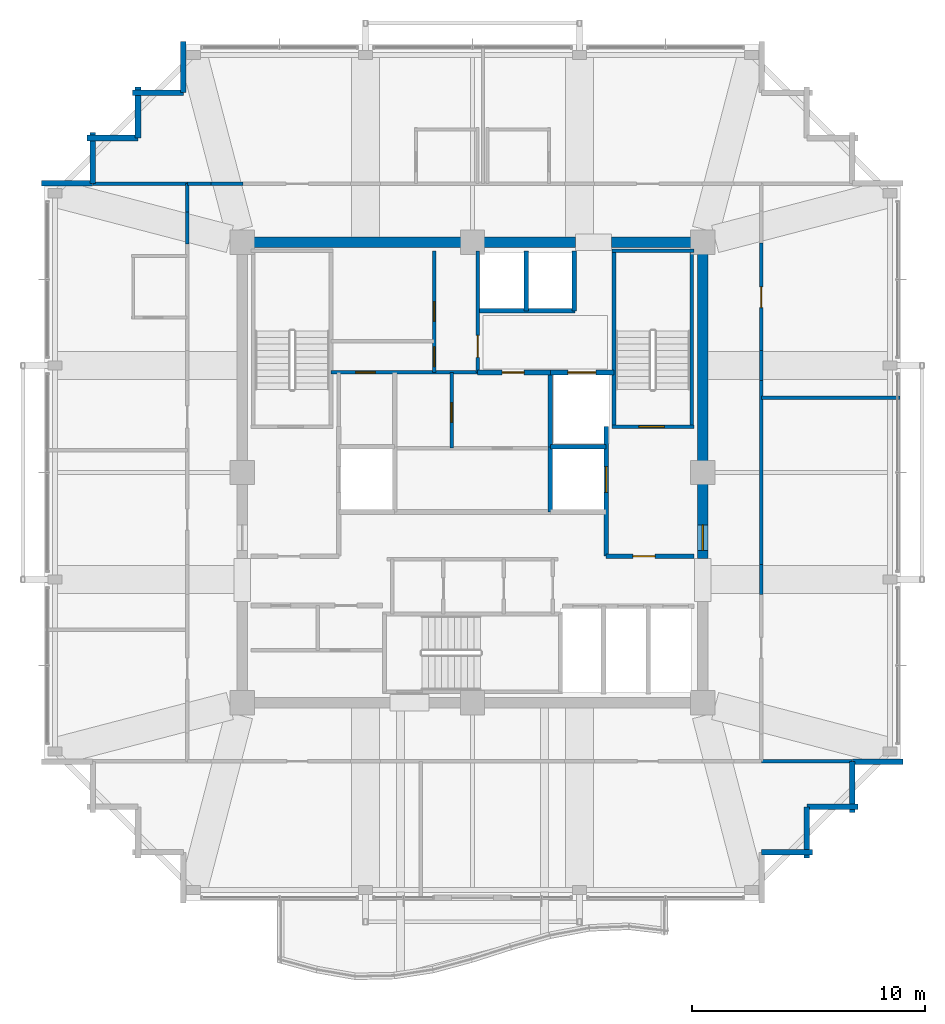
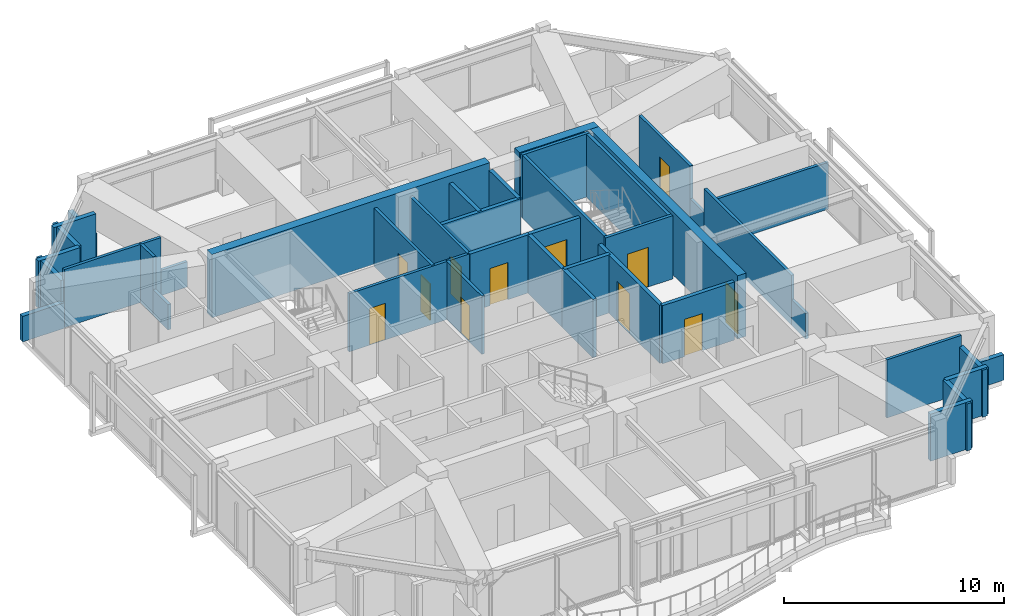
# One storey, part 28 of 30: 43 walls, 12 doors, 12 openings.
"""IFC4 building model written with IfcOpenShell, lengths in metres."""

from ifc_helpers import new_model, si_unit, direction, frame, frame_2d, origin, place, context, subcontext, project, spatial, rectangle, extrude, material, layer, layer_set, type_object, element, fill, save


model = new_model("IFC4")

# Units and contexts
model_context = context("Model", 3, precision=1e-05, world=origin(), true_north=direction((0.0, 1.0)))
body_context = subcontext(model_context, "Body", "Model", "MODEL_VIEW")
ifc_project = project(units=[si_unit("LENGTHUNIT", "METRE"), si_unit("AREAUNIT", "SQUARE_METRE"), si_unit("VOLUMEUNIT", "CUBIC_METRE"), si_unit("PLANEANGLEUNIT", "RADIAN"), si_unit("MASSUNIT", "GRAM", prefix="KILO")], contexts=[model_context])

# Site, building, storey
site_placement = place(None, origin())
site = spatial("IfcSite", under=ifc_project, at=site_placement, CompositionType="ELEMENT")
building_placement = place(site_placement, origin())
building = spatial("IfcBuilding", under=site, at=building_placement, Name="Kolvaren Belvedere", CompositionType="ELEMENT")
storey_placement = place(building_placement, frame((0.0, 0.0, 254.89990234375)))
storey = spatial("IfcBuildingStorey", under=building, at=storey_placement, Name="L74", CompositionType="ELEMENT", Elevation=254.89990234375)

# Walls
ifc_material_1 = material(Name="Concrete C50/60", Category="concrete")
ifc_layer_1 = layer(ifc_material_1, 0.449951171875)
ifc_layer_set_1 = layer_set([ifc_layer_1], Name="Concrete C50/60")
wall_type_1 = type_object("IfcWallType", Name="CW-CORE-450", PredefinedType="SHEAR", material=ifc_layer_set_1)
wall_1_placement = place(storey_placement, frame((-10.125, 9.89990234375, 0.0), z_axis=(0.0, 0.0, 1.0), x_axis=(1.0, 0.0, 0.0)))
element("IfcWall", 1, at=wall_1_placement, inside=storey, type_object=wall_type_1, Name="L74 North Core Shear Wall 1", PredefinedType="SHEAR", context=body_context, shape_type="SweptSolid", body=[
    extrude(rectangle(XDim=14.544921875, YDim=0.449951171875, at=frame_2d((7.2724609375, 0.0))), origin(), (0.0, 0.0, 1.0), 3.5),
])
wall_2_placement = place(storey_placement, frame((5.97998046875, 9.89990234375, 0.0), z_axis=(0.0, 0.0, 1.0), x_axis=(1.0, 0.0, 0.0)))
element("IfcWall", 2, at=wall_2_placement, inside=storey, type_object=wall_type_1, Name="L74 North Core Shear Wall 2", PredefinedType="SHEAR", context=body_context, shape_type="SweptSolid", body=[
    extrude(rectangle(XDim=4.14501953125, YDim=0.449951171875, at=frame_2d((2.072509765625, 0.0))), origin(), (0.0, 0.0, 1.0), 3.5),
])

# Wall, opening, door
wall_3_placement = place(storey_placement, frame((9.89990234375, -3.699951171875, 0.0), z_axis=(0.0, 0.0, 1.0), x_axis=(0.0, 1.0, 0.0)))
wall_3 = element("IfcWall", 3, at=wall_3_placement, inside=storey, type_object=wall_type_1, Name="L74 East Core Shear Wall 2", PredefinedType="SHEAR", context=body_context, shape_type="SweptSolid", body=[
    extrude(rectangle(XDim=13.375, YDim=0.449951171875, at=frame_2d((6.6875, 0.0))), origin(), (0.0, 0.0, 1.0), 3.5),
])
opening_1_placement = place(wall_3_placement, frame((0.35009765625, 0.0, 0.0)))
opening_1 = element("IfcOpeningElement", 4, at=opening_1_placement, cuts=wall_3, Name="Opening D-FD90", PredefinedType="OPENING", context=body_context, shape_type="SweptSolid", body=[
    extrude(rectangle(XDim=1.10009765625, YDim=2.199951171875, at=frame_2d((0.550048828125, 1.10009765625))), frame((0.0, 0.23486328125, 0.0), z_axis=(0.0, -1.0, 0.0), x_axis=(1.0, 0.0, 0.0)), (0.0, 0.0, 1.0), 0.469970703125),
])
ifc_material_2 = material(Name="Painted hollow stainless steel", Category="steel")
door_type_1 = type_object("IfcDoorType", Name="DR-FD90-1100", OperationType="NOTDEFINED", PredefinedType="DOOR", material=ifc_material_2)
door_1_placement = place(opening_1_placement, origin())
door_1 = element("IfcDoor", 5, at=door_1_placement, inside=storey, type_object=door_type_1, Name="L74 East Firefighting Lobby Fire Door", OperationType="SINGLE_SWING_RIGHT", OverallHeight=2.199951171875, OverallWidth=1.10009765625, PredefinedType="DOOR", context=body_context, shape_type="SweptSolid", body=[
    extrude(rectangle(XDim=1.10009765625, YDim=2.199951171875, at=frame_2d((0.550048828125, 1.10009765625))), frame((0.0, 0.02490234375, 0.0), z_axis=(0.0, -1.0, 0.0), x_axis=(1.0, 0.0, 0.0)), (0.0, 0.0, 1.0), 0.050048828125),
])
fill(opening_1, door_1)

ifc_material_3 = material(Name="Concrete C50/60", Category="concrete")
ifc_layer_2 = layer(ifc_material_3, 0.159912109375)
ifc_layer_set_2 = layer_set([ifc_layer_2], Name="Concrete C50/60")
wall_type_2 = type_object("IfcWallType", Name="CW-STAIR-160", PredefinedType="SHEAR", material=ifc_layer_set_2)
wall_4_placement = place(storey_placement, frame((6.0, 1.969970703125, 0.0), z_axis=(0.0, 0.0, 1.0), x_axis=(1.0, 0.0, 0.0)))
wall_4 = element("IfcWall", 6, at=wall_4_placement, inside=storey, type_object=wall_type_2, Name="L74 Stair ST-2 South Shear Wall", PredefinedType="SHEAR", context=body_context, shape_type="SweptSolid", body=[
    extrude(rectangle(XDim=3.52001953125, YDim=0.159912109375, at=frame_2d((1.760009765625, 0.0))), origin(), (0.0, 0.0, 1.0), 3.5),
])
opening_2_placement = place(wall_4_placement, frame((1.14990234375, 0.0, 0.0)))
opening_2 = element("IfcOpeningElement", 7, at=opening_2_placement, cuts=wall_4, Name="Opening D-FD90", PredefinedType="OPENING", context=body_context, shape_type="SweptSolid", body=[
    extrude(rectangle(XDim=1.10009765625, YDim=2.199951171875, at=frame_2d((0.550048828125, 1.10009765625))), frame((0.0, 0.08984375, 0.0), z_axis=(0.0, -1.0, 0.0), x_axis=(1.0, 0.0, 0.0)), (0.0, 0.0, 1.0), 0.179931640625),
])
door_2_placement = place(opening_2_placement, origin())
door_2 = element("IfcDoor", 8, at=door_2_placement, inside=storey, type_object=door_type_1, Name="L74 Stair ST-2 Fire Door", OperationType="SINGLE_SWING_RIGHT", OverallHeight=2.199951171875, OverallWidth=1.10009765625, PredefinedType="DOOR", context=body_context, shape_type="SweptSolid", body=[
    extrude(rectangle(XDim=1.10009765625, YDim=2.199951171875, at=frame_2d((0.550048828125, 1.10009765625))), frame((0.0, 0.02490234375, 0.0), z_axis=(0.0, -1.0, 0.0), x_axis=(1.0, 0.0, 0.0)), (0.0, 0.0, 1.0), 0.050048828125),
])
fill(opening_2, door_2)

# Walls
wall_5_placement = place(storey_placement, frame((6.0, 9.530029296875, 0.0), z_axis=(0.0, 0.0, 1.0), x_axis=(1.0, 0.0, 0.0)))
element("IfcWall", 9, at=wall_5_placement, inside=storey, type_object=wall_type_2, Name="L74 Stair ST-2 North Shear Wall", PredefinedType="SHEAR", context=body_context, shape_type="SweptSolid", body=[
    extrude(rectangle(XDim=3.52001953125, YDim=0.159912109375, at=frame_2d((1.760009765625, 0.0))), origin(), (0.0, 0.0, 1.0), 3.5),
])
for number, where, z_axis, x_axis, name in (
    (10, (6.080078125, 1.969970703125, 0.0), (0.0, 0.0, 1.0), (0.0, 1.0, 0.0), "L74 Stair ST-2 West Shear Wall"),
    (11, (9.429931640625, 1.969970703125, 0.0), (0.0, 0.0, 1.0), (0.0, 1.0, 0.0), "L74 Stair ST-2 East Shear Wall"),
):
    element("IfcWall", number, at=place(storey_placement, frame(where, z_axis=z_axis, x_axis=x_axis)), inside=storey, type_object=wall_type_2, Name=name, PredefinedType="SHEAR", context=body_context, shape_type="SweptSolid", body=[
        extrude(rectangle(XDim=7.56005859375, YDim=0.159912109375, at=frame_2d((3.780029296875, 0.0))), origin(), (0.0, 0.0, 1.0), 3.5),
    ])
ifc_material_4 = material(Name="Gypsum fire-rated partition assembly", Category="gypsum")
ifc_layer_3 = layer(ifc_material_4, 0.14990234375)
ifc_layer_set_3 = layer_set([ifc_layer_3], Name="Gypsum fire-rated partition assembly")
wall_type_3 = type_object("IfcWallType", Name="WL-CORR-150", PredefinedType="PARTITIONING", material=ifc_layer_set_3)
wall_6_placement = place(storey_placement, frame((-12.260009765625, 12.419921875, 0.0), z_axis=(0.0, 0.0, 1.0), x_axis=(1.0, 0.0, 0.0)))
element("IfcWall", 12, at=wall_6_placement, inside=storey, type_object=wall_type_3, Name="L74 North Corridor Wall", PredefinedType="PARTITIONING", context=body_context, shape_type="SweptSolid", body=[
    extrude(rectangle(XDim=1.017578125, YDim=0.14990234375, at=frame_2d((0.5087890625, 0.0))), origin(), (0.0, 0.0, 1.0), 3.22021484375),
])
wall_7_placement = place(storey_placement, frame((-11.242431640625, 12.419921875, 0.0), z_axis=(0.0, 0.0, 1.0), x_axis=(1.0, 0.0, 0.0)))
element("IfcWall", 13, at=wall_7_placement, inside=storey, type_object=wall_type_3, Name="L74 North Corridor Wall", PredefinedType="PARTITIONING", context=body_context, shape_type="SweptSolid", body=[
    extrude(rectangle(XDim=1.3701171875, YDim=0.14990234375, at=frame_2d((0.68505859375, 0.0))), origin(), (0.0, 0.0, 1.0), 1.405029296875),
])
wall_8_placement = place(storey_placement, frame((-12.260009765625, 9.830322265625, 0.0), z_axis=(0.0, 0.0, 1.0), x_axis=(0.0, 1.0, 0.0)))
element("IfcWall", 14, at=wall_8_placement, inside=storey, type_object=wall_type_3, Name="L74 West Corridor Wall", PredefinedType="PARTITIONING", context=body_context, shape_type="SweptSolid", body=[
    extrude(rectangle(XDim=1.370361328125, YDim=0.14990234375, at=frame_2d((0.68505859375, 0.0))), origin(), (0.0, 0.0, 1.0), 1.405029296875),
])
wall_9_placement = place(storey_placement, frame((-12.260009765625, 11.20068359375, 0.0), z_axis=(0.0, 0.0, 1.0), x_axis=(0.0, 1.0, 0.0)))
element("IfcWall", 15, at=wall_9_placement, inside=storey, type_object=wall_type_3, Name="L74 West Corridor Wall", PredefinedType="PARTITIONING", context=body_context, shape_type="SweptSolid", body=[
    extrude(rectangle(XDim=1.21923828125, YDim=0.14990234375, at=frame_2d((0.609619140625, 0.0))), origin(), (0.0, 0.0, 1.0), 3.22021484375),
])
wall_10_placement = place(storey_placement, frame((12.419921875, -5.241943359375, 0.0), z_axis=(0.0, 0.0, 1.0), x_axis=(0.0, 1.0, 0.0)))
element("IfcWall", 16, at=wall_10_placement, inside=storey, type_object=wall_type_3, Name="L74 East Corridor Wall", PredefinedType="PARTITIONING", context=body_context, shape_type="SweptSolid", body=[
    extrude(rectangle(XDim=1.283935546875, YDim=0.14990234375, at=frame_2d((0.64208984375, 0.0))), origin(), (0.0, 0.0, 1.0), 1.405029296875),
])
wall_11_placement = place(storey_placement, frame((12.419921875, -3.9580078125, 0.0), z_axis=(0.0, 0.0, 1.0), x_axis=(0.0, 1.0, 0.0)))
element("IfcWall", 17, at=wall_11_placement, inside=storey, type_object=wall_type_3, Name="L74 East Corridor Wall", PredefinedType="PARTITIONING", context=body_context, shape_type="SweptSolid", body=[
    extrude(rectangle(XDim=7.916015625, YDim=0.14990234375, at=frame_2d((3.9580078125, 0.0))), origin(), (0.0, 0.0, 1.0), 2.7451171875),
])
wall_12_placement = place(storey_placement, frame((12.419921875, 3.9580078125, 0.0), z_axis=(0.0, 0.0, 1.0), x_axis=(0.0, 1.0, 0.0)))
element("IfcWall", 18, at=wall_12_placement, inside=storey, type_object=wall_type_3, Name="L74 East Corridor Wall", PredefinedType="PARTITIONING", context=body_context, shape_type="SweptSolid", body=[
    extrude(rectangle(XDim=1.283935546875, YDim=0.14990234375, at=frame_2d((0.64208984375, 0.0))), origin(), (0.0, 0.0, 1.0), 1.405029296875),
])

# Wall, opening, door
wall_13_placement = place(storey_placement, frame((12.419921875, 5.241943359375, 0.0), z_axis=(0.0, 0.0, 1.0), x_axis=(0.0, 1.0, 0.0)))
wall_13 = element("IfcWall", 19, at=wall_13_placement, inside=storey, type_object=wall_type_3, Name="L74 East Corridor Wall", PredefinedType="PARTITIONING", context=body_context, shape_type="SweptSolid", body=[
    extrude(rectangle(XDim=4.63037109375, YDim=0.14990234375, at=frame_2d((2.315185546875, 0.0))), origin(), (0.0, 0.0, 1.0), 3.22021484375),
])
opening_3_placement = place(wall_13_placement, frame((1.843017578125, 0.0, 0.0)))
opening_3 = element("IfcOpeningElement", 20, at=opening_3_placement, cuts=wall_13, Name="Opening D-INT90", PredefinedType="OPENING", context=body_context, shape_type="SweptSolid", body=[
    extrude(rectangle(XDim=0.89990234375, YDim=2.06005859375, at=frame_2d((0.449951171875, 1.030029296875))), frame((0.0, 0.0849609375, 0.0), z_axis=(0.0, -1.0, 0.0), x_axis=(1.0, 0.0, 0.0)), (0.0, 0.0, 1.0), 0.169921875),
])
ifc_material_5 = material(Name="Stained Pacific white oak", Category="timber")
door_type_2 = type_object("IfcDoorType", Name="DR-INT-900", OperationType="NOTDEFINED", PredefinedType="DOOR", material=ifc_material_5)
door_3_placement = place(opening_3_placement, origin())
door_3 = element("IfcDoor", 21, at=door_3_placement, inside=storey, type_object=door_type_2, Name="L74 Wellness Yoga & Reading Gym 7404 Door", OperationType="SINGLE_SWING_LEFT", OverallHeight=2.06005859375, OverallWidth=0.89990234375, PredefinedType="DOOR", context=body_context, shape_type="SweptSolid", body=[
    extrude(rectangle(XDim=0.89990234375, YDim=2.06005859375, at=frame_2d((0.449951171875, 1.030029296875))), frame((0.0, 0.02490234375, 0.0), z_axis=(0.0, -1.0, 0.0), x_axis=(1.0, 0.0, 0.0)), (0.0, 0.0, 1.0), 0.050048828125),
])
fill(opening_3, door_3)

# Walls
ifc_material_6 = material(Name="Insulated pale-metal facade wall assembly", Category="aluminium")
ifc_layer_4 = layer(ifc_material_6, 0.239990234375)
ifc_layer_set_4 = layer_set([ifc_layer_4], Name="Insulated pale-metal facade wall assembly")
wall_type_4 = type_object("IfcWallType", Name="WL-EXT-240", PredefinedType="STANDARD", material=ifc_layer_set_4)
for number, where, z_axis, x_axis, name in (
    (22, (14.6201171875, -16.330078125, 0.0), (0.0, 0.0, 1.0), (-1.0, 0.0, 0.0), "L74 Serrated Corner Facade Wall 3"),
    (23, (14.3798828125, -14.3798828125, 0.0), (0.0, 0.0, 1.0), (0.0, -1.0, 0.0), "L74 Serrated Corner Facade Wall 4"),
    (24, (16.570068359375, -14.3798828125, 0.0), (0.0, 0.0, 1.0), (-1.0, 0.0, 0.0), "L74 Serrated Corner Facade Wall 5"),
    (25, (16.330078125, -12.429931640625, 0.0), (0.0, 0.0, 1.0), (0.0, -1.0, 0.0), "L74 Serrated Corner Facade Wall 6"),
):
    element("IfcWall", number, at=place(storey_placement, frame(where, z_axis=z_axis, x_axis=x_axis)), inside=storey, type_object=wall_type_4, Name=name, PredefinedType="STANDARD", context=body_context, shape_type="SweptSolid", body=[
        extrude(rectangle(XDim=2.190185546875, YDim=0.239990234375, at=frame_2d((1.09521484375, 0.0))), origin(), (0.0, 0.0, 1.0), 2.60302734375),
    ])
for number, where, z_axis, x_axis, name in (
    (26, (18.52001953125, -12.429931640625, 0.0), (0.0, 0.0, 1.0), (-1.0, 0.0, 0.0), "L74 Serrated Corner Facade Wall 7"),
    (27, (-12.429931640625, 16.330078125, 0.0), (0.0, 0.0, 1.0), (0.0, 1.0, 0.0), "L74 Serrated Corner Facade Wall 16"),
):
    element("IfcWall", number, at=place(storey_placement, frame(where, z_axis=z_axis, x_axis=x_axis)), inside=storey, type_object=wall_type_4, Name=name, PredefinedType="STANDARD", context=body_context, shape_type="SweptSolid", body=[
        extrude(rectangle(XDim=2.18994140625, YDim=0.239990234375, at=frame_2d((1.094970703125, 0.0))), origin(), (0.0, 0.0, 1.0), 1.4150390625),
    ])
for number, where, z_axis, x_axis, name in (
    (28, (-14.6201171875, 16.330078125, 0.0), (0.0, 0.0, 1.0), (1.0, 0.0, 0.0), "L74 Serrated Corner Facade Wall 17"),
    (29, (-14.3798828125, 14.3798828125, 0.0), (0.0, 0.0, 1.0), (0.0, 1.0, 0.0), "L74 Serrated Corner Facade Wall 18"),
    (30, (-16.570068359375, 14.3798828125, 0.0), (0.0, 0.0, 1.0), (1.0, 0.0, 0.0), "L74 Serrated Corner Facade Wall 19"),
    (31, (-16.330078125, 12.429931640625, 0.0), (0.0, 0.0, 1.0), (0.0, 1.0, 0.0), "L74 Serrated Corner Facade Wall 20"),
):
    element("IfcWall", number, at=place(storey_placement, frame(where, z_axis=z_axis, x_axis=x_axis)), inside=storey, type_object=wall_type_4, Name=name, PredefinedType="STANDARD", context=body_context, shape_type="SweptSolid", body=[
        extrude(rectangle(XDim=2.190185546875, YDim=0.239990234375, at=frame_2d((1.09521484375, 0.0))), origin(), (0.0, 0.0, 1.0), 2.60302734375),
    ])
wall_14_placement = place(storey_placement, frame((-18.52001953125, 12.429931640625, 0.0), z_axis=(0.0, 0.0, 1.0), x_axis=(1.0, 0.0, 0.0)))
element("IfcWall", 32, at=wall_14_placement, inside=storey, type_object=wall_type_4, Name="L74 Serrated Corner Facade Wall 21", PredefinedType="STANDARD", context=body_context, shape_type="SweptSolid", body=[
    extrude(rectangle(XDim=2.18994140625, YDim=0.239990234375, at=frame_2d((1.094970703125, 0.0))), origin(), (0.0, 0.0, 1.0), 1.4150390625),
])

# Wall, opening, door
ifc_material_7 = material(Name="Gypsum acoustic partition assembly", Category="gypsum")
ifc_layer_5 = layer(ifc_material_7, 0.14990234375)
ifc_layer_set_5 = layer_set([ifc_layer_5], Name="Gypsum acoustic partition assembly")
wall_type_5 = type_object("IfcWallType", Name="WL-PART-150", PredefinedType="PARTITIONING", material=ifc_layer_set_5)
wall_15_placement = place(storey_placement, frame((-6.080078125, 4.300048828125, 0.0), z_axis=(0.0, 0.0, 1.0), x_axis=(1.0, 0.0, 0.0)))
wall_15 = element("IfcWall", 33, at=wall_15_placement, inside=storey, type_object=wall_type_5, Name="L74 Reclaimed Salon South Wall", PredefinedType="PARTITIONING", context=body_context, shape_type="SweptSolid", body=[
    extrude(rectangle(XDim=6.300048828125, YDim=0.14990234375, at=frame_2d((3.14990234375, 0.0))), origin(), (0.0, 0.0, 1.0), 3.22021484375),
])
opening_4_placement = place(wall_15_placement, frame((1.050048828125, 0.0, 0.0)))
opening_4 = element("IfcOpeningElement", 34, at=opening_4_placement, cuts=wall_15, Name="Opening D-INT85", PredefinedType="OPENING", context=body_context, shape_type="SweptSolid", body=[
    extrude(rectangle(XDim=0.85009765625, YDim=2.030029296875, at=frame_2d((0.425048828125, 1.01513671875))), frame((0.0, 0.0849609375, 0.0), z_axis=(0.0, -1.0, 0.0), x_axis=(1.0, 0.0, 0.0)), (0.0, 0.0, 1.0), 0.169921875),
])
ifc_material_8 = material(Name="Stained Pacific white oak", Category="timber")
door_type_3 = type_object("IfcDoorType", Name="DR-INT-850", OperationType="NOTDEFINED", PredefinedType="DOOR", material=ifc_material_8)
door_4_placement = place(opening_4_placement, origin())
door_4 = element("IfcDoor", 35, at=door_4_placement, inside=storey, type_object=door_type_3, Name="L74 NW Core Store Door", OperationType="SINGLE_SWING_RIGHT", OverallHeight=2.030029296875, OverallWidth=0.85009765625, PredefinedType="DOOR", context=body_context, shape_type="SweptSolid", body=[
    extrude(rectangle(XDim=0.85009765625, YDim=2.030029296875, at=frame_2d((0.425048828125, 1.01513671875))), frame((0.0, 0.02490234375, 0.0), z_axis=(0.0, -1.0, 0.0), x_axis=(1.0, 0.0, 0.0)), (0.0, 0.0, 1.0), 0.050048828125),
])
fill(opening_4, door_4)

wall_16_placement = place(storey_placement, frame((0.219970703125, 4.300048828125, 0.0), z_axis=(0.0, 0.0, 1.0), x_axis=(0.0, 1.0, 0.0)))
wall_16 = element("IfcWall", 36, at=wall_16_placement, inside=storey, type_object=wall_type_5, Name="L74 Reclaimed Salon East Wall", PredefinedType="PARTITIONING", context=body_context, shape_type="SweptSolid", body=[
    extrude(rectangle(XDim=5.219970703125, YDim=0.14990234375, at=frame_2d((2.60986328125, 0.0))), origin(), (0.0, 0.0, 1.0), 3.22021484375),
])
opening_5_placement = place(wall_16_placement, frame((0.64990234375, 0.0, 0.0)))
opening_5 = element("IfcOpeningElement", 37, at=opening_5_placement, cuts=wall_16, Name="Opening D-INT95", PredefinedType="OPENING", context=body_context, shape_type="SweptSolid", body=[
    extrude(rectangle(XDim=0.949951171875, YDim=2.06005859375, at=frame_2d((0.47509765625, 1.030029296875))), frame((0.0, 0.0849609375, 0.0), z_axis=(0.0, -1.0, 0.0), x_axis=(1.0, 0.0, 0.0)), (0.0, 0.0, 1.0), 0.169921875),
])
ifc_material_9 = material(Name="Stained Pacific white oak", Category="timber")
door_type_4 = type_object("IfcDoorType", Name="DR-INT-950", OperationType="NOTDEFINED", PredefinedType="DOOR", material=ifc_material_9)
door_5_placement = place(opening_5_placement, origin())
door_5 = element("IfcDoor", 38, at=door_5_placement, inside=storey, type_object=door_type_4, Name="L74 Wellness Tearoom Door", OperationType="SINGLE_SWING_LEFT", OverallHeight=2.06005859375, OverallWidth=0.949951171875, PredefinedType="DOOR", context=body_context, shape_type="SweptSolid", body=[
    extrude(rectangle(XDim=0.949951171875, YDim=2.06005859375, at=frame_2d((0.47509765625, 1.030029296875))), frame((0.0, 0.02490234375, 0.0), z_axis=(0.0, -1.0, 0.0), x_axis=(1.0, 0.0, 0.0)), (0.0, 0.0, 1.0), 0.050048828125),
])
fill(opening_5, door_5)

# Wall, openings, doors
wall_17_placement = place(storey_placement, frame((-1.64990234375, 4.300048828125, 0.0), z_axis=(0.0, 0.0, 1.0), x_axis=(0.0, 1.0, 0.0)))
wall_17 = element("IfcWall", 39, at=wall_17_placement, inside=storey, type_object=wall_type_5, Name="L74 Reclaimed Tearoom V-Divider", PredefinedType="PARTITIONING", context=body_context, shape_type="SweptSolid", body=[
    extrude(rectangle(XDim=5.219970703125, YDim=0.14990234375, at=frame_2d((2.60986328125, 0.0))), origin(), (0.0, 0.0, 1.0), 3.22021484375),
])
opening_6_placement = place(wall_17_placement, frame((2.199951171875, 0.0, 0.0)))
opening_6 = element("IfcOpeningElement", 40, at=opening_6_placement, cuts=wall_17, Name="Opening D-INT85", PredefinedType="OPENING", context=body_context, shape_type="SweptSolid", body=[
    extrude(rectangle(XDim=0.85009765625, YDim=2.030029296875, at=frame_2d((0.425048828125, 1.01513671875))), frame((0.0, 0.0849609375, 0.0), z_axis=(0.0, -1.0, 0.0), x_axis=(1.0, 0.0, 0.0)), (0.0, 0.0, 1.0), 0.169921875),
])
opening_7_placement = place(wall_17_placement, frame((0.25, 0.0, 0.0)))
opening_7 = element("IfcOpeningElement", 41, at=opening_7_placement, cuts=wall_17, Name="Opening D-INT85", PredefinedType="OPENING", context=body_context, shape_type="SweptSolid", body=[
    extrude(rectangle(XDim=0.85009765625, YDim=2.030029296875, at=frame_2d((0.425048828125, 1.01513671875))), frame((0.0, 0.0849609375, 0.0), z_axis=(0.0, -1.0, 0.0), x_axis=(1.0, 0.0, 0.0)), (0.0, 0.0, 1.0), 0.169921875),
])
door_6_placement = place(opening_6_placement, origin())
door_6 = element("IfcDoor", 42, at=door_6_placement, inside=storey, type_object=door_type_3, Name="L74 Meditation Room Door", OperationType="SINGLE_SWING_RIGHT", OverallHeight=2.030029296875, OverallWidth=0.85009765625, PredefinedType="DOOR", context=body_context, shape_type="SweptSolid", body=[
    extrude(rectangle(XDim=0.85009765625, YDim=2.030029296875, at=frame_2d((0.425048828125, 1.01513671875))), frame((0.0, 0.02490234375, 0.0), z_axis=(0.0, -1.0, 0.0), x_axis=(1.0, 0.0, 0.0)), (0.0, 0.0, 1.0), 0.050048828125),
])
fill(opening_6, door_6)
door_7_placement = place(opening_7_placement, origin())
door_7 = element("IfcDoor", 43, at=door_7_placement, inside=storey, type_object=door_type_3, Name="L74 Herbal Closet Door", OperationType="SINGLE_SWING_RIGHT", OverallHeight=2.030029296875, OverallWidth=0.85009765625, PredefinedType="DOOR", context=body_context, shape_type="SweptSolid", body=[
    extrude(rectangle(XDim=0.85009765625, YDim=2.030029296875, at=frame_2d((0.425048828125, 1.01513671875))), frame((0.0, 0.02490234375, 0.0), z_axis=(0.0, -1.0, 0.0), x_axis=(1.0, 0.0, 0.0)), (0.0, 0.0, 1.0), 0.050048828125),
])
fill(opening_7, door_7)

# Wall, opening, door
wall_18_placement = place(storey_placement, frame((-0.89990234375, 1.050048828125, 0.0), z_axis=(0.0, 0.0, 1.0), x_axis=(0.0, 1.0, 0.0)))
wall_18 = element("IfcWall", 44, at=wall_18_placement, inside=storey, type_object=wall_type_5, Name="L74 Central Core V-Divider", PredefinedType="PARTITIONING", context=body_context, shape_type="SweptSolid", body=[
    extrude(rectangle(XDim=3.25, YDim=0.14990234375, at=frame_2d((1.625, 0.0))), origin(), (0.0, 0.0, 1.0), 3.22021484375),
])
opening_8_placement = place(wall_18_placement, frame((1.10009765625, 0.0, 0.0)))
opening_8 = element("IfcOpeningElement", 45, at=opening_8_placement, cuts=wall_18, Name="Opening D-INT85", PredefinedType="OPENING", context=body_context, shape_type="SweptSolid", body=[
    extrude(rectangle(XDim=0.85009765625, YDim=2.030029296875, at=frame_2d((0.425048828125, 1.01513671875))), frame((0.0, 0.0849609375, 0.0), z_axis=(0.0, -1.0, 0.0), x_axis=(1.0, 0.0, 0.0)), (0.0, 0.0, 1.0), 0.169921875),
])
door_8_placement = place(opening_8_placement, origin())
door_8 = element("IfcDoor", 46, at=door_8_placement, inside=storey, type_object=door_type_3, Name="L74 Central Telecom Door", OperationType="SINGLE_SWING_RIGHT", OverallHeight=2.030029296875, OverallWidth=0.85009765625, PredefinedType="DOOR", context=body_context, shape_type="SweptSolid", body=[
    extrude(rectangle(XDim=0.85009765625, YDim=2.030029296875, at=frame_2d((0.425048828125, 1.01513671875))), frame((0.0, 0.02490234375, 0.0), z_axis=(0.0, -1.0, 0.0), x_axis=(1.0, 0.0, 0.0)), (0.0, 0.0, 1.0), 0.050048828125),
])
fill(opening_8, door_8)

# Walls
wall_19_placement = place(storey_placement, frame((12.419921875, -12.419921875, 0.0), z_axis=(0.0, 0.0, 1.0), x_axis=(1.0, 0.0, 0.0)))
element("IfcWall", 47, at=wall_19_placement, inside=storey, type_object=wall_type_5, Name="L74 Wing Divider PW-L74-QSE", PredefinedType="PARTITIONING", context=body_context, shape_type="SweptSolid", body=[
    extrude(rectangle(XDim=3.900146484375, YDim=0.14990234375, at=frame_2d((1.9501953125, 0.0))), origin(), (0.0, 0.0, 1.0), 3.22021484375),
])
wall_20_placement = place(storey_placement, frame((-16.320068359375, 12.419921875, 0.0), z_axis=(0.0, 0.0, 1.0), x_axis=(1.0, 0.0, 0.0)))
element("IfcWall", 48, at=wall_20_placement, inside=storey, type_object=wall_type_5, Name="L74 Wing Divider PW-L74-QNW", PredefinedType="PARTITIONING", context=body_context, shape_type="SweptSolid", body=[
    extrude(rectangle(XDim=4.06005859375, YDim=0.14990234375, at=frame_2d((2.030029296875, 0.0))), origin(), (0.0, 0.0, 1.0), 3.22021484375),
])
wall_21_placement = place(storey_placement, frame((12.419921875, 3.219970703125, 0.0), z_axis=(0.0, 0.0, 1.0), x_axis=(1.0, 0.0, 0.0)))
element("IfcWall", 49, at=wall_21_placement, inside=storey, type_object=wall_type_5, Name="L74 East Suite Demising Wall 1", PredefinedType="PARTITIONING", context=body_context, shape_type="SweptSolid", body=[
    extrude(rectangle(XDim=5.9599609375, YDim=0.14990234375, at=frame_2d((2.97998046875, 0.0))), origin(), (0.0, 0.0, 1.0), 2.593017578125),
])

# Wall, opening, door
ifc_material_10 = material(Name="Concrete C50/60", Category="concrete")
ifc_layer_6 = layer(ifc_material_10, 0.199951171875)
ifc_layer_set_6 = layer_set([ifc_layer_6], Name="Concrete C50/60")
wall_type_6 = type_object("IfcWallType", Name="WL-SHAFT-200", PredefinedType="SOLIDWALL", material=ifc_layer_set_6)
wall_22_placement = place(storey_placement, frame((5.75, -3.60009765625, 0.0), z_axis=(0.0, 0.0, 1.0), x_axis=(1.0, 0.0, 0.0)))
wall_22 = element("IfcWall", 50, at=wall_22_placement, inside=storey, type_object=wall_type_6, Name="L74 East FSAE Lobby South Wall", PredefinedType="SOLIDWALL", context=body_context, shape_type="SweptSolid", body=[
    extrude(rectangle(XDim=3.77001953125, YDim=0.199951171875, at=frame_2d((1.885009765625, 0.0))), origin(), (0.0, 0.0, 1.0), 3.22021484375),
])
opening_9_placement = place(wall_22_placement, frame((1.14990234375, 0.0, 0.0)))
opening_9 = element("IfcOpeningElement", 51, at=opening_9_placement, cuts=wall_22, Name="Opening D-FD60", PredefinedType="OPENING", context=body_context, shape_type="SweptSolid", body=[
    extrude(rectangle(XDim=0.949951171875, YDim=2.06005859375, at=frame_2d((0.47509765625, 1.030029296875))), frame((0.0, 0.10986328125, 0.0), z_axis=(0.0, -1.0, 0.0), x_axis=(1.0, 0.0, 0.0)), (0.0, 0.0, 1.0), 0.219970703125),
])
ifc_material_11 = material(Name="Acoustic white-oak fire door leaf", Category="timber")
door_type_5 = type_object("IfcDoorType", Name="DR-FD60-950", OperationType="NOTDEFINED", PredefinedType="DOOR", material=ifc_material_11)
door_9_placement = place(opening_9_placement, origin())
door_9 = element("IfcDoor", 52, at=door_9_placement, inside=storey, type_object=door_type_5, Name="L74 SE Lift Lobby Fire Door", OperationType="SINGLE_SWING_RIGHT", OverallHeight=2.06005859375, OverallWidth=0.949951171875, PredefinedType="DOOR", context=body_context, shape_type="SweptSolid", body=[
    extrude(rectangle(XDim=0.949951171875, YDim=2.06005859375, at=frame_2d((0.47509765625, 1.030029296875))), frame((0.0, 0.02490234375, 0.0), z_axis=(0.0, -1.0, 0.0), x_axis=(1.0, 0.0, 0.0)), (0.0, 0.0, 1.0), 0.050048828125),
])
fill(opening_9, door_9)

wall_23_placement = place(storey_placement, frame((5.75, -3.60009765625, 0.0), z_axis=(0.0, 0.0, 1.0), x_axis=(0.0, 1.0, 0.0)))
wall_23 = element("IfcWall", 53, at=wall_23_placement, inside=storey, type_object=wall_type_6, Name="L74 FSAE FS2 Landing Wall", PredefinedType="SOLIDWALL", context=body_context, shape_type="SweptSolid", body=[
    extrude(rectangle(XDim=5.570068359375, YDim=0.199951171875, at=frame_2d((2.78515625, 0.0))), origin(), (0.0, 0.0, 1.0), 3.22021484375),
])
opening_10_placement = place(wall_23_placement, frame((2.75, 0.0, 0.0)))
opening_10 = element("IfcOpeningElement", 54, at=opening_10_placement, cuts=wall_23, Name="Opening LD-11", PredefinedType="OPENING", context=body_context, shape_type="SweptSolid", body=[
    extrude(rectangle(XDim=1.10009765625, YDim=2.199951171875, at=frame_2d((0.550048828125, 1.10009765625))), frame((0.0, 0.10986328125, 0.0), z_axis=(0.0, -1.0, 0.0), x_axis=(1.0, 0.0, 0.0)), (0.0, 0.0, 1.0), 0.219970703125),
])
ifc_material_12 = material(Name="Brushed stainless steel", Category="steel")
door_type_6 = type_object("IfcDoorType", Name="DR-LIFT-1100", OperationType="DOUBLE_DOOR_SLIDING", PredefinedType="DOOR", material=ifc_material_12)
door_10_placement = place(opening_10_placement, origin())
door_10 = element("IfcDoor", 55, at=door_10_placement, inside=storey, type_object=door_type_6, Name="L74 Firefighting Lift FS2 Landing Door", OperationType="DOUBLE_DOOR_SLIDING", OverallHeight=2.199951171875, OverallWidth=1.10009765625, PredefinedType="DOOR", context=body_context, shape_type="SweptSolid", body=[
    extrude(rectangle(XDim=1.10009765625, YDim=2.199951171875, at=frame_2d((0.550048828125, 1.10009765625))), frame((0.0, 0.02490234375, 0.0), z_axis=(0.0, -1.0, 0.0), x_axis=(1.0, 0.0, 0.0)), (0.0, 0.0, 1.0), 0.050048828125),
])
fill(opening_10, door_10)

# Walls
wall_24_placement = place(storey_placement, frame((3.35009765625, -1.699951171875, 0.0), z_axis=(0.0, 0.0, 1.0), x_axis=(0.0, 1.0, 0.0)))
element("IfcWall", 56, at=wall_24_placement, inside=storey, type_object=wall_type_6, Name="L74 FSAE FS2 Back Wall", PredefinedType="SOLIDWALL", context=body_context, shape_type="SweptSolid", body=[
    extrude(rectangle(XDim=2.800048828125, YDim=0.199951171875, at=frame_2d((1.39990234375, 0.0))), origin(), (0.0, 0.0, 1.0), 3.22021484375),
])
wall_25_placement = place(storey_placement, frame((3.35009765625, 1.10009765625, 0.0), z_axis=(0.0, 0.0, 1.0), x_axis=(1.0, 0.0, 0.0)))
element("IfcWall", 57, at=wall_25_placement, inside=storey, type_object=wall_type_6, Name="L74 FSAE FS2 North Wall", PredefinedType="SOLIDWALL", context=body_context, shape_type="SweptSolid", body=[
    extrude(rectangle(XDim=2.39990234375, YDim=0.199951171875, at=frame_2d((1.199951171875, 0.0))), origin(), (0.0, 0.0, 1.0), 3.22021484375),
])

# Wall, opening, door
wall_26_placement = place(storey_placement, frame((3.35009765625, 4.300048828125, 0.0), z_axis=(0.0, 0.0, 1.0), x_axis=(1.0, 0.0, 0.0)))
wall_26 = element("IfcWall", 58, at=wall_26_placement, inside=storey, type_object=wall_type_6, Name="L74 Service Lift SV1 Front Wall", PredefinedType="SOLIDWALL", context=body_context, shape_type="SweptSolid", body=[
    extrude(rectangle(XDim=2.72998046875, YDim=0.199951171875, at=frame_2d((1.364990234375, 0.0))), origin(), (0.0, 0.0, 1.0), 3.22021484375),
])
opening_11_placement = place(wall_26_placement, frame((0.75, 0.0, 0.0)))
opening_11 = element("IfcOpeningElement", 59, at=opening_11_placement, cuts=wall_26, Name="Opening LD-12", PredefinedType="OPENING", context=body_context, shape_type="SweptSolid", body=[
    extrude(rectangle(XDim=1.199951171875, YDim=2.25, at=frame_2d((0.60009765625, 1.125))), frame((0.0, 0.10986328125, 0.0), z_axis=(0.0, -1.0, 0.0), x_axis=(1.0, 0.0, 0.0)), (0.0, 0.0, 1.0), 0.219970703125),
])
ifc_material_13 = material(Name="Brushed stainless steel", Category="steel")
door_type_7 = type_object("IfcDoorType", Name="DR-LIFT-1200", OperationType="DOUBLE_DOOR_SLIDING", PredefinedType="DOOR", material=ifc_material_13)
door_11_placement = place(opening_11_placement, origin())
door_11 = element("IfcDoor", 60, at=door_11_placement, inside=storey, type_object=door_type_7, Name="L74 Service Lift SV1 Landing Door", OperationType="DOUBLE_DOOR_SLIDING", OverallHeight=2.25, OverallWidth=1.199951171875, PredefinedType="DOOR", context=body_context, shape_type="SweptSolid", body=[
    extrude(rectangle(XDim=1.199951171875, YDim=2.25, at=frame_2d((0.60009765625, 1.125))), frame((0.0, 0.02490234375, 0.0), z_axis=(0.0, -1.0, 0.0), x_axis=(1.0, 0.0, 0.0)), (0.0, 0.0, 1.0), 0.050048828125),
])
fill(opening_11, door_11)

# Walls
wall_27_placement = place(storey_placement, frame((0.219970703125, 6.949951171875, 0.0), z_axis=(0.0, 0.0, 1.0), x_axis=(1.0, 0.0, 0.0)))
element("IfcWall", 61, at=wall_27_placement, inside=storey, type_object=wall_type_6, Name="L74 Express Shuttle Hoistway Wall", PredefinedType="SOLIDWALL", context=body_context, shape_type="SweptSolid", body=[
    extrude(rectangle(XDim=4.179931640625, YDim=0.199951171875, at=frame_2d((2.08984375, 0.0))), origin(), (0.0, 0.0, 1.0), 3.22021484375),
])
for number, where, z_axis, x_axis, name in (
    (62, (4.3798828125, 6.949951171875, 0.0), (0.0, 0.0, 1.0), (0.0, 1.0, 0.0), "L74 Express Shuttle East Wall"),
    (63, (2.31005859375, 6.949951171875, 0.0), (0.0, 0.0, 1.0), (0.0, 1.0, 0.0), "L74 Express Shuttle Divider"),
):
    element("IfcWall", number, at=place(storey_placement, frame(where, z_axis=z_axis, x_axis=x_axis)), inside=storey, type_object=wall_type_6, Name=name, PredefinedType="SOLIDWALL", context=body_context, shape_type="SweptSolid", body=[
        extrude(rectangle(XDim=2.570068359375, YDim=0.199951171875, at=frame_2d((1.28515625, 0.0))), origin(), (0.0, 0.0, 1.0), 3.22021484375),
    ])

# Wall, opening, door
wall_28_placement = place(storey_placement, frame((0.219970703125, 4.300048828125, 0.0), z_axis=(0.0, 0.0, 1.0), x_axis=(1.0, 0.0, 0.0)))
wall_28 = element("IfcWall", 64, at=wall_28_placement, inside=storey, type_object=wall_type_6, Name="L74 Central Core Room North Wall", PredefinedType="SOLIDWALL", context=body_context, shape_type="SweptSolid", body=[
    extrude(rectangle(XDim=3.130126953125, YDim=0.199951171875, at=frame_2d((1.56494140625, 0.0))), origin(), (0.0, 0.0, 1.0), 3.22021484375),
])
opening_12_placement = place(wall_28_placement, frame((1.050048828125, 0.0, 0.0)))
opening_12 = element("IfcOpeningElement", 65, at=opening_12_placement, cuts=wall_28, Name="Opening D-FD60", PredefinedType="OPENING", context=body_context, shape_type="SweptSolid", body=[
    extrude(rectangle(XDim=0.949951171875, YDim=2.06005859375, at=frame_2d((0.47509765625, 1.030029296875))), frame((0.0, 0.10986328125, 0.0), z_axis=(0.0, -1.0, 0.0), x_axis=(1.0, 0.0, 0.0)), (0.0, 0.0, 1.0), 0.219970703125),
])
door_12_placement = place(opening_12_placement, origin())
door_12 = element("IfcDoor", 66, at=door_12_placement, inside=storey, type_object=door_type_5, Name="L74 Central Core Controls Door", OperationType="SINGLE_SWING_LEFT", OverallHeight=2.06005859375, OverallWidth=0.949951171875, PredefinedType="DOOR", context=body_context, shape_type="SweptSolid", body=[
    extrude(rectangle(XDim=0.949951171875, YDim=2.06005859375, at=frame_2d((0.47509765625, 1.030029296875))), frame((0.0, 0.02490234375, 0.0), z_axis=(0.0, -1.0, 0.0), x_axis=(1.0, 0.0, 0.0)), (0.0, 0.0, 1.0), 0.050048828125),
])
fill(opening_12, door_12)

# Wall
wall_29_placement = place(storey_placement, frame((3.35009765625, 1.10009765625, 0.0), z_axis=(0.0, 0.0, 1.0), x_axis=(0.0, 1.0, 0.0)))
element("IfcWall", 67, at=wall_29_placement, inside=storey, type_object=wall_type_6, Name="L74 Central Core Room East Wall", PredefinedType="SOLIDWALL", context=body_context, shape_type="SweptSolid", body=[
    extrude(rectangle(XDim=3.199951171875, YDim=0.199951171875, at=frame_2d((1.60009765625, 0.0))), origin(), (0.0, 0.0, 1.0), 3.22021484375),
])

save(model, "model.ifc")
